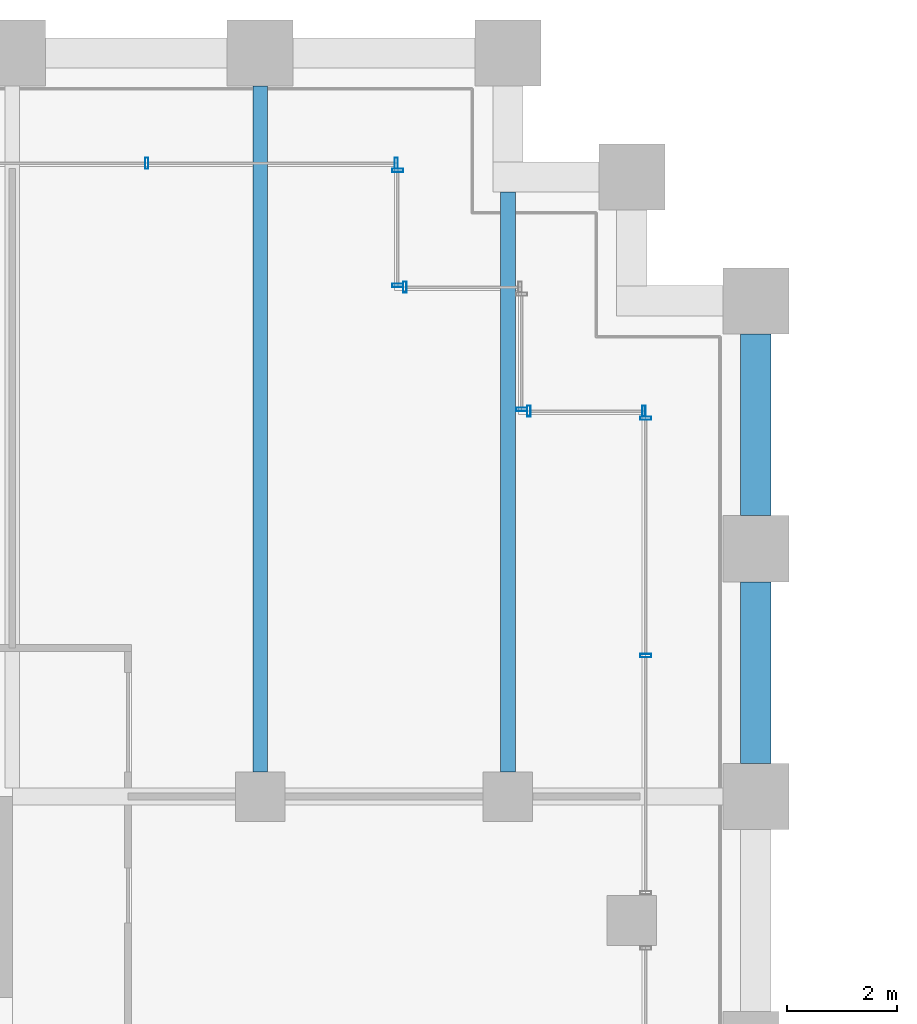
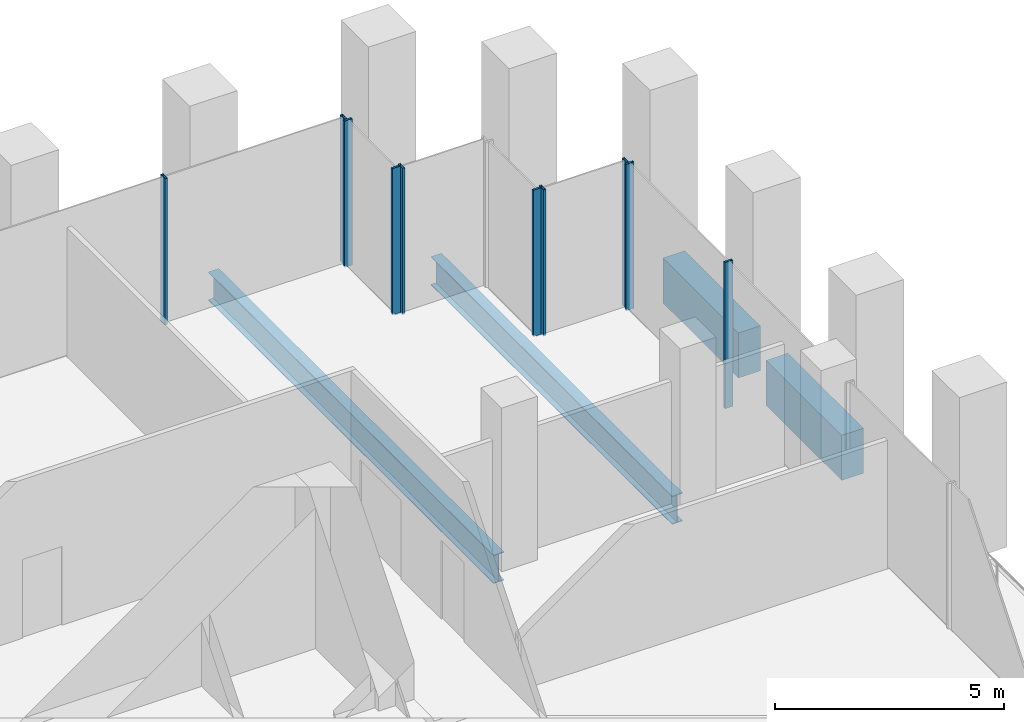
# One storey, part 17 of 36: 10 members, 4 beams, 6 elements without a shape of their own.
"""IFC4 building model written with IfcOpenShell, lengths in metres."""

from ifc_helpers import new_model, si_unit, direction, frame, origin, origin_2d, place, context, subcontext, project, spatial, rectangle, hollow_rectangle, i_section, extrude, material, material_profile, profile_set, type_object, element, aggregate, save


model = new_model("IFC4")

# Units and contexts
model_context = context("Model", 3, precision=1e-05, world=origin(), true_north=direction((0.0, 1.0)))
body_context = subcontext(model_context, "Body", "Model", "MODEL_VIEW")
ifc_project = project(units=[si_unit("LENGTHUNIT", "METRE"), si_unit("AREAUNIT", "SQUARE_METRE"), si_unit("VOLUMEUNIT", "CUBIC_METRE"), si_unit("PLANEANGLEUNIT", "RADIAN"), si_unit("MASSUNIT", "GRAM", prefix="KILO")], contexts=[model_context])

# Site, building, storey
site_placement = place(None, origin())
site = spatial("IfcSite", under=ifc_project, at=site_placement, CompositionType="ELEMENT")
building_placement = place(site_placement, origin())
building = spatial("IfcBuilding", under=site, at=building_placement, Name="Altepetl Exchange Towers", CompositionType="ELEMENT")
storey_placement = place(building_placement, frame((0.0, 0.0, 29.800048828125)))
storey = spatial("IfcBuildingStorey", under=building, at=storey_placement, Name="L06", CompositionType="ELEMENT", Elevation=29.800048828125)

# Beams
ifc_material_1 = material(Name="Steel S355", Category="steel")
ifc_material_profile_1 = material_profile(ifc_material_1, i_section(OverallWidth=0.26611328125, OverallDepth=0.758056640625, WebThickness=0.013916015625, FlangeThickness=0.019287109375, at=origin_2d()), Name="W30X108")
ifc_profile_set_1 = profile_set([ifc_material_profile_1], Name="Steel S355")
beam_type_1 = type_object("IfcBeamType", Name="Floor beam W30X108", PredefinedType="BEAM", material=ifc_profile_set_1)
beam_1_placement = place(storey_placement, frame((63.0, 58.949951171875, -0.553955078125), z_axis=(0.0, 1.0, 0.0), x_axis=(-1.0, 0.0, 0.0)))
element("IfcBeam", 1, at=beam_1_placement, inside=storey, type_object=beam_type_1, Name="bm:A:L06:004", PredefinedType="BEAM", context=body_context, shape_type="SweptSolid", body=[
    extrude(i_section(OverallWidth=0.26611328125, OverallDepth=0.758056640625, WebThickness=0.013916015625, FlangeThickness=0.019287109375, at=origin_2d()), origin(), (0.0, 0.0, 1.0), 12.449951171875),
])
beam_2_placement = place(storey_placement, frame((67.5, 58.949951171875, -0.553955078125), z_axis=(0.0, 1.0, 0.0), x_axis=(-1.0, 0.0, 0.0)))
element("IfcBeam", 2, at=beam_2_placement, inside=storey, type_object=beam_type_1, Name="bm:A:L06:005", PredefinedType="BEAM", context=body_context, shape_type="SweptSolid", body=[
    extrude(i_section(OverallWidth=0.26611328125, OverallDepth=0.758056640625, WebThickness=0.013916015625, FlangeThickness=0.019287109375, at=origin_2d()), origin(), (0.0, 0.0, 1.0), 10.525146484375),
])

# Curtain wall, members
ifc_material_2 = material(Name="Aluminium 6063-T6 glazing", Category="aluminium")
curtain_wall_type = type_object("IfcCurtainWallType", Name="Trading floor glazing system", PredefinedType="NOTDEFINED", material=ifc_material_2)
curtain_wall_1_placement = place(storey_placement, origin())
curtain_wall_1 = element("IfcCurtainWall", 3, at=curtain_wall_1_placement, inside=storey, type_object=curtain_wall_type, Name="CW2 run", PredefinedType="NOTDEFINED")
ifc_material_3 = material(Name="Aluminium 6063-T6", Category="aluminium")
ifc_material_profile_2 = material_profile(ifc_material_3, hollow_rectangle(XDim=0.06005859375, YDim=0.199951171875, WallThickness=0.0029296875, at=origin_2d()), Name="Mullion 60x200 aluminium")
ifc_profile_set_2 = profile_set([ifc_material_profile_2], Name="Aluminium 6063-T6")
member_type = type_object("IfcMemberType", Name="Mullion 60x200 aluminium", PredefinedType="MULLION", material=ifc_profile_set_2)
member_1_placement = place(storey_placement, frame((70.0, 61.06005859375, 0.0), z_axis=(0.0, 0.0, 1.0), x_axis=(0.0, 1.0, 0.0)))
member_1 = element("IfcMember", 4, at=member_1_placement, type_object=member_type, Name="MU2 mullion", PredefinedType="MULLION", context=body_context, shape_type="SweptSolid", body=[
    extrude(hollow_rectangle(XDim=0.06005859375, YDim=0.199951171875, WallThickness=0.0029296875, at=origin_2d()), origin(), (0.0, 0.0, 1.0), 3.89990234375),
])
member_2_placement = place(storey_placement, frame((70.0, 65.3701171875, 0.0), z_axis=(0.0, 0.0, 1.0), x_axis=(0.0, 1.0, 0.0)))
member_2 = element("IfcMember", 5, at=member_2_placement, type_object=member_type, Name="MU2 mullion", PredefinedType="MULLION", context=body_context, shape_type="SweptSolid", body=[
    extrude(hollow_rectangle(XDim=0.06005859375, YDim=0.199951171875, WallThickness=0.0029296875, at=origin_2d()), origin(), (0.0, 0.0, 1.0), 3.89990234375),
])
aggregate(curtain_wall_1, [member_1, member_2])

curtain_wall_2_placement = place(storey_placement, origin())
curtain_wall_2 = element("IfcCurtainWall", 6, at=curtain_wall_2_placement, inside=storey, type_object=curtain_wall_type, Name="CW2 run", PredefinedType="NOTDEFINED")
member_3_placement = place(storey_placement, frame((69.969970703125, 65.5, 0.0), z_axis=(0.0, 0.0, 1.0), x_axis=(-1.0, 0.0, 0.0)))
member_3 = element("IfcMember", 7, at=member_3_placement, type_object=member_type, Name="MU2 mullion", PredefinedType="MULLION", context=body_context, shape_type="SweptSolid", body=[
    extrude(hollow_rectangle(XDim=0.06005859375, YDim=0.199951171875, WallThickness=0.0029296875, at=origin_2d()), origin(), (0.0, 0.0, 1.0), 3.89990234375),
])
member_4_placement = place(storey_placement, frame((67.8798828125, 65.5, 0.0), z_axis=(0.0, 0.0, 1.0), x_axis=(-1.0, 0.0, 0.0)))
member_4 = element("IfcMember", 8, at=member_4_placement, type_object=member_type, Name="MU2 mullion", PredefinedType="MULLION", context=body_context, shape_type="SweptSolid", body=[
    extrude(hollow_rectangle(XDim=0.06005859375, YDim=0.199951171875, WallThickness=0.0029296875, at=origin_2d()), origin(), (0.0, 0.0, 1.0), 3.89990234375),
])
aggregate(curtain_wall_2, [member_3, member_4])

# Curtain wall, member
curtain_wall_3_placement = place(storey_placement, origin())
curtain_wall_3 = element("IfcCurtainWall", 9, at=curtain_wall_3_placement, inside=storey, type_object=curtain_wall_type, Name="CW2 run", PredefinedType="NOTDEFINED")
member_5_placement = place(storey_placement, frame((67.75, 65.530029296875, 0.0), z_axis=(0.0, 0.0, 1.0), x_axis=(0.0, 1.0, 0.0)))
member_5 = element("IfcMember", 10, at=member_5_placement, type_object=member_type, Name="MU2 mullion", PredefinedType="MULLION", context=body_context, shape_type="SweptSolid", body=[
    extrude(hollow_rectangle(XDim=0.06005859375, YDim=0.199951171875, WallThickness=0.0029296875, at=origin_2d()), origin(), (0.0, 0.0, 1.0), 3.89990234375),
])
aggregate(curtain_wall_3, [member_5])

curtain_wall_4_placement = place(storey_placement, origin())
curtain_wall_4 = element("IfcCurtainWall", 11, at=curtain_wall_4_placement, inside=storey, type_object=curtain_wall_type, Name="CW2 run", PredefinedType="NOTDEFINED")
member_6_placement = place(storey_placement, frame((65.6298828125, 67.75, 0.0), z_axis=(0.0, 0.0, 1.0), x_axis=(-1.0, 0.0, 0.0)))
member_6 = element("IfcMember", 12, at=member_6_placement, type_object=member_type, Name="MU2 mullion", PredefinedType="MULLION", context=body_context, shape_type="SweptSolid", body=[
    extrude(hollow_rectangle(XDim=0.06005859375, YDim=0.199951171875, WallThickness=0.0029296875, at=origin_2d()), origin(), (0.0, 0.0, 1.0), 3.89990234375),
])
aggregate(curtain_wall_4, [member_6])

# Curtain wall, members
curtain_wall_5_placement = place(storey_placement, origin())
curtain_wall_5 = element("IfcCurtainWall", 13, at=curtain_wall_5_placement, inside=storey, type_object=curtain_wall_type, Name="CW2 run", PredefinedType="NOTDEFINED")
member_7_placement = place(storey_placement, frame((65.5, 67.780029296875, 0.0), z_axis=(0.0, 0.0, 1.0), x_axis=(0.0, 1.0, 0.0)))
member_7 = element("IfcMember", 14, at=member_7_placement, type_object=member_type, Name="MU2 mullion", PredefinedType="MULLION", context=body_context, shape_type="SweptSolid", body=[
    extrude(hollow_rectangle(XDim=0.06005859375, YDim=0.199951171875, WallThickness=0.0029296875, at=origin_2d()), origin(), (0.0, 0.0, 1.0), 3.89990234375),
])
member_8_placement = place(storey_placement, frame((65.5, 69.8701171875, 0.0), z_axis=(0.0, 0.0, 1.0), x_axis=(0.0, 1.0, 0.0)))
member_8 = element("IfcMember", 15, at=member_8_placement, type_object=member_type, Name="MU2 mullion", PredefinedType="MULLION", context=body_context, shape_type="SweptSolid", body=[
    extrude(hollow_rectangle(XDim=0.06005859375, YDim=0.199951171875, WallThickness=0.0029296875, at=origin_2d()), origin(), (0.0, 0.0, 1.0), 3.89990234375),
])
aggregate(curtain_wall_5, [member_7, member_8])

curtain_wall_6_placement = place(storey_placement, origin())
curtain_wall_6 = element("IfcCurtainWall", 16, at=curtain_wall_6_placement, inside=storey, type_object=curtain_wall_type, Name="CW2 run", PredefinedType="NOTDEFINED")
member_9_placement = place(storey_placement, frame((65.469970703125, 70.0, 0.0), z_axis=(0.0, 0.0, 1.0), x_axis=(-1.0, 0.0, 0.0)))
member_9 = element("IfcMember", 17, at=member_9_placement, type_object=member_type, Name="MU2 mullion", PredefinedType="MULLION", context=body_context, shape_type="SweptSolid", body=[
    extrude(hollow_rectangle(XDim=0.06005859375, YDim=0.199951171875, WallThickness=0.0029296875, at=origin_2d()), origin(), (0.0, 0.0, 1.0), 3.89990234375),
])
member_10_placement = place(storey_placement, frame((60.94287109375, 70.0, 0.0), z_axis=(0.0, 0.0, 1.0), x_axis=(-1.0, 0.0, 0.0)))
member_10 = element("IfcMember", 18, at=member_10_placement, type_object=member_type, Name="MU2 mullion", PredefinedType="MULLION", context=body_context, shape_type="SweptSolid", body=[
    extrude(hollow_rectangle(XDim=0.06005859375, YDim=0.199951171875, WallThickness=0.0029296875, at=origin_2d()), origin(), (0.0, 0.0, 1.0), 3.89990234375),
])
aggregate(curtain_wall_6, [member_9, member_10])

# Beams
ifc_material_4 = material(Name="Concrete C50/60 precast with cantera rosa facing", Category="concrete")
ifc_material_profile_3 = material_profile(ifc_material_4, rectangle(XDim=0.550048828125, YDim=1.199951171875, at=origin_2d()), Name="550 x 1200")
ifc_profile_set_3 = profile_set([ifc_material_profile_3], Name="Concrete C50/60 precast with cantera rosa facing")
beam_type_2 = type_object("IfcBeamType", Name="Spandrel beam 550x1200 cantera rosa", PredefinedType="SPANDREL", material=ifc_profile_set_3)
for number, where, z_axis, x_axis, name in (
    (19, (72.0, 59.10009765625, -0.775146484375), (0.0, 1.0, 0.0), (-1.0, 0.0, 0.0), "sp:A:L06:018"),
    (20, (72.0, 63.60009765625, -0.775146484375), (0.0, 1.0, 0.0), (-1.0, 0.0, 0.0), "sp:A:L06:019"),
):
    element("IfcBeam", number, at=place(storey_placement, frame(where, z_axis=z_axis, x_axis=x_axis)), inside=storey, type_object=beam_type_2, Name=name, PredefinedType="SPANDREL", context=body_context, shape_type="SweptSolid", body=[
        extrude(rectangle(XDim=0.550048828125, YDim=1.199951171875, at=origin_2d()), origin(), (0.0, 0.0, 1.0), 3.2998046875),
    ])

save(model, "model.ifc")
